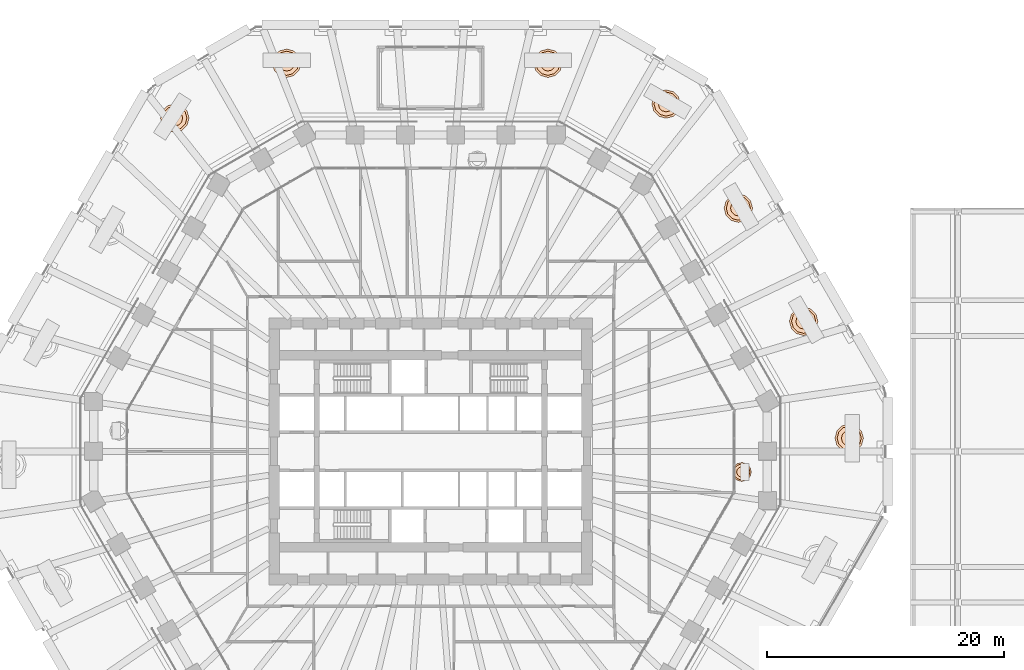
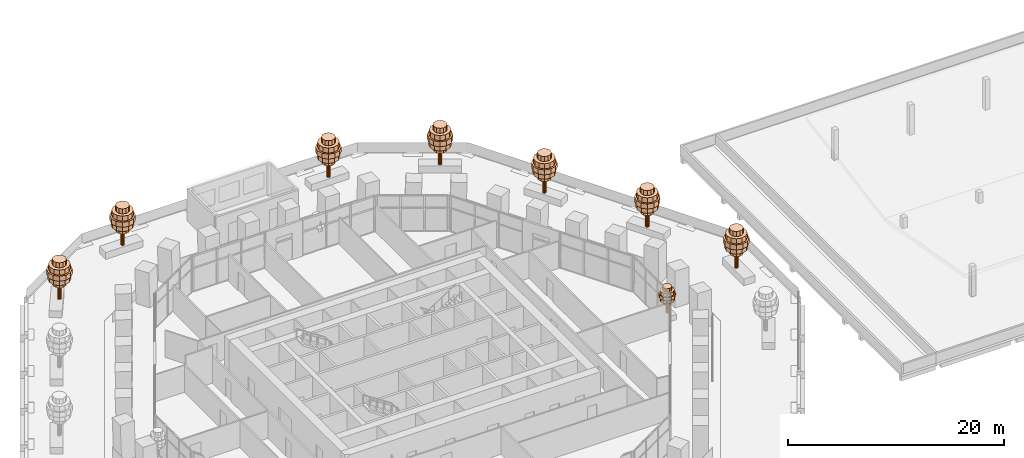
# One storey, part 32 of 32: 8 geographic elements.
"""IFC4 building model written with IfcOpenShell, lengths in metres."""

from ifc_helpers import new_model, si_unit, direction, frame, origin, place, context, subcontext, project, spatial, polyline, outline, extrude, material, type_object, element, save


model = new_model("IFC4")

# Units and contexts
model_context = context("Model", 3, precision=1e-05, world=origin(), true_north=direction((0.0, 1.0)))
body_context = subcontext(model_context, "Body", "Model", "MODEL_VIEW")
ifc_project = project(units=[si_unit("LENGTHUNIT", "METRE"), si_unit("AREAUNIT", "SQUARE_METRE"), si_unit("VOLUMEUNIT", "CUBIC_METRE"), si_unit("PLANEANGLEUNIT", "RADIAN"), si_unit("MASSUNIT", "GRAM", prefix="KILO")], contexts=[model_context])

# Site, building, storey
site_placement = place(None, origin())
site = spatial("IfcSite", under=ifc_project, at=site_placement, CompositionType="ELEMENT")
building_placement = place(site_placement, origin())
building = spatial("IfcBuilding", under=site, at=building_placement, Name="Frailejon Research Tower", CompositionType="ELEMENT")
storey_placement = place(building_placement, frame((0.0, 0.0, 14.60009765625)))
storey = spatial("IfcBuildingStorey", under=building, at=storey_placement, Name="L03", CompositionType="ELEMENT", Elevation=14.60009765625)

# Geographic elements
ifc_material_1 = material(Name="Foliage, green")
geographic_element_type_1 = type_object("IfcGeographicElementType", Name="Frailejon tree, loggia", PredefinedType="USERDEFINED", material=ifc_material_1)
geographic_element_1_placement = place(storey_placement, frame((26.2626953125, -1.732177734375, 0.599853515625)))
element("IfcGeographicElement", 1, at=geographic_element_1_placement, inside=storey, type_object=geographic_element_type_1, Name="Tree L03", ObjectType="TREE", PredefinedType="USERDEFINED", context=body_context, shape_type="SweptSolid", body=[
    extrude(outline(polyline([(0.1298828125, 0.0), (0.112548828125, 0.06494140625), (0.06494140625, 0.112548828125), (0.0, 0.1298828125), (-0.06494140625, 0.112548828125), (-0.112548828125, 0.06494140625), (-0.1298828125, 0.0), (-0.112548828125, -0.06494140625), (-0.06494140625, -0.112548828125), (0.0, -0.1298828125), (0.06494140625, -0.112548828125), (0.112548828125, -0.06494140625), (0.1298828125, 0.0)])), origin(), (0.0, 0.0, 1.0), 2.239990234375),
    extrude(outline(polyline([(0.43994140625, 0.0), (0.381103515625, 0.219970703125), (0.219970703125, 0.381103515625), (0.0, 0.43994140625), (-0.219970703125, 0.381103515625), (-0.381103515625, 0.219970703125), (-0.43994140625, 0.0), (-0.381103515625, -0.219970703125), (-0.219970703125, -0.381103515625), (0.0, -0.43994140625), (0.219970703125, -0.381103515625), (0.381103515625, -0.219970703125), (0.43994140625, 0.0)])), frame((0.0, 0.0, 1.10009765625)), (0.0, 0.0, 1.0), 0.3798828125),
    extrude(outline(polyline([(0.719970703125, 0.0), (0.62353515625, 0.360107421875), (0.360107421875, 0.62353515625), (0.0, 0.719970703125), (-0.360107421875, 0.62353515625), (-0.62353515625, 0.360107421875), (-0.719970703125, 0.0), (-0.62353515625, -0.360107421875), (-0.360107421875, -0.62353515625), (0.0, -0.719970703125), (0.360107421875, -0.62353515625), (0.62353515625, -0.360107421875), (0.719970703125, 0.0)])), frame((0.0, 0.0, 1.47998046875)), (0.0, 0.0, 1.0), 0.3798828125),
    extrude(outline(polyline([(0.800048828125, 0.0), (0.69287109375, 0.39990234375), (0.39990234375, 0.69287109375), (0.0, 0.800048828125), (-0.39990234375, 0.69287109375), (-0.69287109375, 0.39990234375), (-0.800048828125, 0.0), (-0.69287109375, -0.39990234375), (-0.39990234375, -0.69287109375), (0.0, -0.800048828125), (0.39990234375, -0.69287109375), (0.69287109375, -0.39990234375), (0.800048828125, 0.0)])), frame((0.0, 0.0, 1.860107421875)), (0.0, 0.0, 1.0), 0.3798828125),
    extrude(outline(polyline([(0.679931640625, 0.0), (0.5888671875, 0.340087890625), (0.340087890625, 0.5888671875), (0.0, 0.679931640625), (-0.340087890625, 0.5888671875), (-0.5888671875, 0.340087890625), (-0.679931640625, 0.0), (-0.5888671875, -0.340087890625), (-0.340087890625, -0.5888671875), (0.0, -0.679931640625), (0.340087890625, -0.5888671875), (0.5888671875, -0.340087890625), (0.679931640625, 0.0)])), frame((0.0, 0.0, 2.239990234375)), (0.0, 0.0, 1.0), 0.3798828125),
    extrude(outline(polyline([(0.43994140625, 0.0), (0.381103515625, 0.219970703125), (0.219970703125, 0.381103515625), (0.0, 0.43994140625), (-0.219970703125, 0.381103515625), (-0.381103515625, 0.219970703125), (-0.43994140625, 0.0), (-0.381103515625, -0.219970703125), (-0.219970703125, -0.381103515625), (0.0, -0.43994140625), (0.219970703125, -0.381103515625), (0.381103515625, -0.219970703125), (0.43994140625, 0.0)])), frame((0.0, 0.0, 2.6201171875)), (0.0, 0.0, 1.0), 0.3798828125),
])
ifc_material_2 = material(Name="Foliage, green")
geographic_element_type_2 = type_object("IfcGeographicElementType", Name="Frailejon tree, terrace", PredefinedType="USERDEFINED", material=ifc_material_2)
geographic_element_2_placement = place(storey_placement, frame((35.319091796875, 1.11962890625, 0.829833984375)))
element("IfcGeographicElement", 2, at=geographic_element_2_placement, inside=storey, type_object=geographic_element_type_2, Name="Tree L03", ObjectType="TREE", PredefinedType="USERDEFINED", context=body_context, shape_type="SweptSolid", body=[
    extrude(outline(polyline([(0.18994140625, 0.0), (0.16455078125, 0.094970703125), (0.094970703125, 0.16455078125), (0.0, 0.18994140625), (-0.094970703125, 0.16455078125), (-0.16455078125, 0.094970703125), (-0.18994140625, 0.0), (-0.16455078125, -0.094970703125), (-0.094970703125, -0.16455078125), (0.0, -0.18994140625), (0.094970703125, -0.16455078125), (0.16455078125, -0.094970703125), (0.18994140625, 0.0)])), origin(), (0.0, 0.0, 1.0), 3.360107421875),
    extrude(outline(polyline([(0.659912109375, 0.0), (0.571533203125, 0.330078125), (0.330078125, 0.571533203125), (0.0, 0.659912109375), (-0.330078125, 0.571533203125), (-0.571533203125, 0.330078125), (-0.659912109375, 0.0), (-0.571533203125, -0.330078125), (-0.330078125, -0.571533203125), (0.0, -0.659912109375), (0.330078125, -0.571533203125), (0.571533203125, -0.330078125), (0.659912109375, 0.0)])), frame((0.0, 0.0, 1.64990234375)), (0.0, 0.0, 1.0), 0.570068359375),
    extrude(outline(polyline([(1.080078125, 0.0), (0.935302734375, 0.5400390625), (0.5400390625, 0.935302734375), (0.0, 1.080078125), (-0.5400390625, 0.935302734375), (-0.935302734375, 0.5400390625), (-1.080078125, 0.0), (-0.935302734375, -0.5400390625), (-0.5400390625, -0.935302734375), (0.0, -1.080078125), (0.5400390625, -0.935302734375), (0.935302734375, -0.5400390625), (1.080078125, 0.0)])), frame((0.0, 0.0, 2.219970703125)), (0.0, 0.0, 1.0), 0.570068359375),
    extrude(outline(polyline([(1.199951171875, 0.0), (1.039306640625, 0.60009765625), (0.60009765625, 1.039306640625), (0.0, 1.199951171875), (-0.60009765625, 1.039306640625), (-1.039306640625, 0.60009765625), (-1.199951171875, 0.0), (-1.039306640625, -0.60009765625), (-0.60009765625, -1.039306640625), (0.0, -1.199951171875), (0.60009765625, -1.039306640625), (1.039306640625, -0.60009765625), (1.199951171875, 0.0)])), frame((0.0, 0.0, 2.7900390625)), (0.0, 0.0, 1.0), 0.570068359375),
    extrude(outline(polyline([(1.02001953125, 0.0), (0.88330078125, 0.510009765625), (0.510009765625, 0.88330078125), (0.0, 1.02001953125), (-0.510009765625, 0.88330078125), (-0.88330078125, 0.510009765625), (-1.02001953125, 0.0), (-0.88330078125, -0.510009765625), (-0.510009765625, -0.88330078125), (0.0, -1.02001953125), (0.510009765625, -0.88330078125), (0.88330078125, -0.510009765625), (1.02001953125, 0.0)])), frame((0.0, 0.0, 3.360107421875)), (0.0, 0.0, 1.0), 0.570068359375),
    extrude(outline(polyline([(0.659912109375, 0.0), (0.571533203125, 0.330078125), (0.330078125, 0.571533203125), (0.0, 0.659912109375), (-0.330078125, 0.571533203125), (-0.571533203125, 0.330078125), (-0.659912109375, 0.0), (-0.571533203125, -0.330078125), (-0.330078125, -0.571533203125), (0.0, -0.659912109375), (0.330078125, -0.571533203125), (0.571533203125, -0.330078125), (0.659912109375, 0.0)])), frame((0.0, 0.0, 3.929931640625)), (0.0, 0.0, 1.0), 0.570068359375),
])
geographic_element_3_placement = place(storey_placement, frame((31.47705078125, 10.97998046875, 0.829833984375)))
element("IfcGeographicElement", 3, at=geographic_element_3_placement, inside=storey, type_object=geographic_element_type_2, Name="Tree L03", ObjectType="TREE", PredefinedType="USERDEFINED", context=body_context, shape_type="SweptSolid", body=[
    extrude(outline(polyline([(0.18994140625, 0.0), (0.16455078125, 0.094970703125), (0.094970703125, 0.16455078125), (0.0, 0.18994140625), (-0.094970703125, 0.16455078125), (-0.16455078125, 0.094970703125), (-0.18994140625, 0.0), (-0.16455078125, -0.094970703125), (-0.094970703125, -0.16455078125), (0.0, -0.18994140625), (0.094970703125, -0.16455078125), (0.16455078125, -0.094970703125), (0.18994140625, 0.0)])), origin(), (0.0, 0.0, 1.0), 3.360107421875),
    extrude(outline(polyline([(0.659912109375, 0.0), (0.571533203125, 0.330078125), (0.330078125, 0.571533203125), (0.0, 0.659912109375), (-0.330078125, 0.571533203125), (-0.571533203125, 0.330078125), (-0.659912109375, 0.0), (-0.571533203125, -0.330078125), (-0.330078125, -0.571533203125), (0.0, -0.659912109375), (0.330078125, -0.571533203125), (0.571533203125, -0.330078125), (0.659912109375, 0.0)])), frame((0.0, 0.0, 1.64990234375)), (0.0, 0.0, 1.0), 0.570068359375),
    extrude(outline(polyline([(1.080078125, 0.0), (0.935302734375, 0.5400390625), (0.5400390625, 0.935302734375), (0.0, 1.080078125), (-0.5400390625, 0.935302734375), (-0.935302734375, 0.5400390625), (-1.080078125, 0.0), (-0.935302734375, -0.5400390625), (-0.5400390625, -0.935302734375), (0.0, -1.080078125), (0.5400390625, -0.935302734375), (0.935302734375, -0.5400390625), (1.080078125, 0.0)])), frame((0.0, 0.0, 2.219970703125)), (0.0, 0.0, 1.0), 0.570068359375),
    extrude(outline(polyline([(1.199951171875, 0.0), (1.039306640625, 0.60009765625), (0.60009765625, 1.039306640625), (0.0, 1.199951171875), (-0.60009765625, 1.039306640625), (-1.039306640625, 0.60009765625), (-1.199951171875, 0.0), (-1.039306640625, -0.60009765625), (-0.60009765625, -1.039306640625), (0.0, -1.199951171875), (0.60009765625, -1.039306640625), (1.039306640625, -0.60009765625), (1.199951171875, 0.0)])), frame((0.0, 0.0, 2.7900390625)), (0.0, 0.0, 1.0), 0.570068359375),
    extrude(outline(polyline([(1.02001953125, 0.0), (0.88330078125, 0.510009765625), (0.510009765625, 0.88330078125), (0.0, 1.02001953125), (-0.510009765625, 0.88330078125), (-0.88330078125, 0.510009765625), (-1.02001953125, 0.0), (-0.88330078125, -0.510009765625), (-0.510009765625, -0.88330078125), (0.0, -1.02001953125), (0.510009765625, -0.88330078125), (0.88330078125, -0.510009765625), (1.02001953125, 0.0)])), frame((0.0, 0.0, 3.360107421875)), (0.0, 0.0, 1.0), 0.570068359375),
    extrude(outline(polyline([(0.659912109375, 0.0), (0.571533203125, 0.330078125), (0.330078125, 0.571533203125), (0.0, 0.659912109375), (-0.330078125, 0.571533203125), (-0.571533203125, 0.330078125), (-0.659912109375, 0.0), (-0.571533203125, -0.330078125), (-0.330078125, -0.571533203125), (0.0, -0.659912109375), (0.330078125, -0.571533203125), (0.571533203125, -0.330078125), (0.659912109375, 0.0)])), frame((0.0, 0.0, 3.929931640625)), (0.0, 0.0, 1.0), 0.570068359375),
])
geographic_element_4_placement = place(storey_placement, frame((25.965087890625, 20.52685546875, 0.829833984375)))
element("IfcGeographicElement", 4, at=geographic_element_4_placement, inside=storey, type_object=geographic_element_type_2, Name="Tree L03", ObjectType="TREE", PredefinedType="USERDEFINED", context=body_context, shape_type="SweptSolid", body=[
    extrude(outline(polyline([(0.18994140625, 0.0), (0.16455078125, 0.094970703125), (0.094970703125, 0.16455078125), (0.0, 0.18994140625), (-0.094970703125, 0.16455078125), (-0.16455078125, 0.094970703125), (-0.18994140625, 0.0), (-0.16455078125, -0.094970703125), (-0.094970703125, -0.16455078125), (0.0, -0.18994140625), (0.094970703125, -0.16455078125), (0.16455078125, -0.094970703125), (0.18994140625, 0.0)])), origin(), (0.0, 0.0, 1.0), 3.360107421875),
    extrude(outline(polyline([(0.659912109375, 0.0), (0.571533203125, 0.330078125), (0.330078125, 0.571533203125), (0.0, 0.659912109375), (-0.330078125, 0.571533203125), (-0.571533203125, 0.330078125), (-0.659912109375, 0.0), (-0.571533203125, -0.330078125), (-0.330078125, -0.571533203125), (0.0, -0.659912109375), (0.330078125, -0.571533203125), (0.571533203125, -0.330078125), (0.659912109375, 0.0)])), frame((0.0, 0.0, 1.64990234375)), (0.0, 0.0, 1.0), 0.570068359375),
    extrude(outline(polyline([(1.080078125, 0.0), (0.935302734375, 0.5400390625), (0.5400390625, 0.935302734375), (0.0, 1.080078125), (-0.5400390625, 0.935302734375), (-0.935302734375, 0.5400390625), (-1.080078125, 0.0), (-0.935302734375, -0.5400390625), (-0.5400390625, -0.935302734375), (0.0, -1.080078125), (0.5400390625, -0.935302734375), (0.935302734375, -0.5400390625), (1.080078125, 0.0)])), frame((0.0, 0.0, 2.219970703125)), (0.0, 0.0, 1.0), 0.570068359375),
    extrude(outline(polyline([(1.199951171875, 0.0), (1.039306640625, 0.60009765625), (0.60009765625, 1.039306640625), (0.0, 1.199951171875), (-0.60009765625, 1.039306640625), (-1.039306640625, 0.60009765625), (-1.199951171875, 0.0), (-1.039306640625, -0.60009765625), (-0.60009765625, -1.039306640625), (0.0, -1.199951171875), (0.60009765625, -1.039306640625), (1.039306640625, -0.60009765625), (1.199951171875, 0.0)])), frame((0.0, 0.0, 2.7900390625)), (0.0, 0.0, 1.0), 0.570068359375),
    extrude(outline(polyline([(1.02001953125, 0.0), (0.88330078125, 0.510009765625), (0.510009765625, 0.88330078125), (0.0, 1.02001953125), (-0.510009765625, 0.88330078125), (-0.88330078125, 0.510009765625), (-1.02001953125, 0.0), (-0.88330078125, -0.510009765625), (-0.510009765625, -0.88330078125), (0.0, -1.02001953125), (0.510009765625, -0.88330078125), (0.88330078125, -0.510009765625), (1.02001953125, 0.0)])), frame((0.0, 0.0, 3.360107421875)), (0.0, 0.0, 1.0), 0.570068359375),
    extrude(outline(polyline([(0.659912109375, 0.0), (0.571533203125, 0.330078125), (0.330078125, 0.571533203125), (0.0, 0.659912109375), (-0.330078125, 0.571533203125), (-0.571533203125, 0.330078125), (-0.659912109375, 0.0), (-0.571533203125, -0.330078125), (-0.330078125, -0.571533203125), (0.0, -0.659912109375), (0.330078125, -0.571533203125), (0.571533203125, -0.330078125), (0.659912109375, 0.0)])), frame((0.0, 0.0, 3.929931640625)), (0.0, 0.0, 1.0), 0.570068359375),
])
geographic_element_5_placement = place(storey_placement, frame((19.872314453125, 29.309814453125, 0.829833984375)))
element("IfcGeographicElement", 5, at=geographic_element_5_placement, inside=storey, type_object=geographic_element_type_2, Name="Tree L03", ObjectType="TREE", PredefinedType="USERDEFINED", context=body_context, shape_type="SweptSolid", body=[
    extrude(outline(polyline([(0.18994140625, 0.0), (0.16455078125, 0.094970703125), (0.094970703125, 0.16455078125), (0.0, 0.18994140625), (-0.094970703125, 0.16455078125), (-0.16455078125, 0.094970703125), (-0.18994140625, 0.0), (-0.16455078125, -0.094970703125), (-0.094970703125, -0.16455078125), (0.0, -0.18994140625), (0.094970703125, -0.16455078125), (0.16455078125, -0.094970703125), (0.18994140625, 0.0)])), origin(), (0.0, 0.0, 1.0), 3.360107421875),
    extrude(outline(polyline([(0.659912109375, 0.0), (0.571533203125, 0.330078125), (0.330078125, 0.571533203125), (0.0, 0.659912109375), (-0.330078125, 0.571533203125), (-0.571533203125, 0.330078125), (-0.659912109375, 0.0), (-0.571533203125, -0.330078125), (-0.330078125, -0.571533203125), (0.0, -0.659912109375), (0.330078125, -0.571533203125), (0.571533203125, -0.330078125), (0.659912109375, 0.0)])), frame((0.0, 0.0, 1.64990234375)), (0.0, 0.0, 1.0), 0.570068359375),
    extrude(outline(polyline([(1.080078125, 0.0), (0.935302734375, 0.5400390625), (0.5400390625, 0.935302734375), (0.0, 1.080078125), (-0.5400390625, 0.935302734375), (-0.935302734375, 0.5400390625), (-1.080078125, 0.0), (-0.935302734375, -0.5400390625), (-0.5400390625, -0.935302734375), (0.0, -1.080078125), (0.5400390625, -0.935302734375), (0.935302734375, -0.5400390625), (1.080078125, 0.0)])), frame((0.0, 0.0, 2.219970703125)), (0.0, 0.0, 1.0), 0.570068359375),
    extrude(outline(polyline([(1.199951171875, 0.0), (1.039306640625, 0.60009765625), (0.60009765625, 1.039306640625), (0.0, 1.199951171875), (-0.60009765625, 1.039306640625), (-1.039306640625, 0.60009765625), (-1.199951171875, 0.0), (-1.039306640625, -0.60009765625), (-0.60009765625, -1.039306640625), (0.0, -1.199951171875), (0.60009765625, -1.039306640625), (1.039306640625, -0.60009765625), (1.199951171875, 0.0)])), frame((0.0, 0.0, 2.7900390625)), (0.0, 0.0, 1.0), 0.570068359375),
    extrude(outline(polyline([(1.02001953125, 0.0), (0.88330078125, 0.510009765625), (0.510009765625, 0.88330078125), (0.0, 1.02001953125), (-0.510009765625, 0.88330078125), (-0.88330078125, 0.510009765625), (-1.02001953125, 0.0), (-0.88330078125, -0.510009765625), (-0.510009765625, -0.88330078125), (0.0, -1.02001953125), (0.510009765625, -0.88330078125), (0.88330078125, -0.510009765625), (1.02001953125, 0.0)])), frame((0.0, 0.0, 3.360107421875)), (0.0, 0.0, 1.0), 0.570068359375),
    extrude(outline(polyline([(0.659912109375, 0.0), (0.571533203125, 0.330078125), (0.330078125, 0.571533203125), (0.0, 0.659912109375), (-0.330078125, 0.571533203125), (-0.571533203125, 0.330078125), (-0.659912109375, 0.0), (-0.571533203125, -0.330078125), (-0.330078125, -0.571533203125), (0.0, -0.659912109375), (0.330078125, -0.571533203125), (0.571533203125, -0.330078125), (0.659912109375, 0.0)])), frame((0.0, 0.0, 3.929931640625)), (0.0, 0.0, 1.0), 0.570068359375),
])
geographic_element_6_placement = place(storey_placement, frame((9.904296875, 32.75, 0.829833984375)))
element("IfcGeographicElement", 6, at=geographic_element_6_placement, inside=storey, type_object=geographic_element_type_2, Name="Tree L03", ObjectType="TREE", PredefinedType="USERDEFINED", context=body_context, shape_type="SweptSolid", body=[
    extrude(outline(polyline([(0.18994140625, 0.0), (0.16455078125, 0.094970703125), (0.094970703125, 0.16455078125), (0.0, 0.18994140625), (-0.094970703125, 0.16455078125), (-0.16455078125, 0.094970703125), (-0.18994140625, 0.0), (-0.16455078125, -0.094970703125), (-0.094970703125, -0.16455078125), (0.0, -0.18994140625), (0.094970703125, -0.16455078125), (0.16455078125, -0.094970703125), (0.18994140625, 0.0)])), origin(), (0.0, 0.0, 1.0), 3.360107421875),
    extrude(outline(polyline([(0.659912109375, 0.0), (0.571533203125, 0.330078125), (0.330078125, 0.571533203125), (0.0, 0.659912109375), (-0.330078125, 0.571533203125), (-0.571533203125, 0.330078125), (-0.659912109375, 0.0), (-0.571533203125, -0.330078125), (-0.330078125, -0.571533203125), (0.0, -0.659912109375), (0.330078125, -0.571533203125), (0.571533203125, -0.330078125), (0.659912109375, 0.0)])), frame((0.0, 0.0, 1.64990234375)), (0.0, 0.0, 1.0), 0.570068359375),
    extrude(outline(polyline([(1.080078125, 0.0), (0.935302734375, 0.5400390625), (0.5400390625, 0.935302734375), (0.0, 1.080078125), (-0.5400390625, 0.935302734375), (-0.935302734375, 0.5400390625), (-1.080078125, 0.0), (-0.935302734375, -0.5400390625), (-0.5400390625, -0.935302734375), (0.0, -1.080078125), (0.5400390625, -0.935302734375), (0.935302734375, -0.5400390625), (1.080078125, 0.0)])), frame((0.0, 0.0, 2.219970703125)), (0.0, 0.0, 1.0), 0.570068359375),
    extrude(outline(polyline([(1.199951171875, 0.0), (1.039306640625, 0.60009765625), (0.60009765625, 1.039306640625), (0.0, 1.199951171875), (-0.60009765625, 1.039306640625), (-1.039306640625, 0.60009765625), (-1.199951171875, 0.0), (-1.039306640625, -0.60009765625), (-0.60009765625, -1.039306640625), (0.0, -1.199951171875), (0.60009765625, -1.039306640625), (1.039306640625, -0.60009765625), (1.199951171875, 0.0)])), frame((0.0, 0.0, 2.7900390625)), (0.0, 0.0, 1.0), 0.570068359375),
    extrude(outline(polyline([(1.02001953125, 0.0), (0.88330078125, 0.510009765625), (0.510009765625, 0.88330078125), (0.0, 1.02001953125), (-0.510009765625, 0.88330078125), (-0.88330078125, 0.510009765625), (-1.02001953125, 0.0), (-0.88330078125, -0.510009765625), (-0.510009765625, -0.88330078125), (0.0, -1.02001953125), (0.510009765625, -0.88330078125), (0.88330078125, -0.510009765625), (1.02001953125, 0.0)])), frame((0.0, 0.0, 3.360107421875)), (0.0, 0.0, 1.0), 0.570068359375),
    extrude(outline(polyline([(0.659912109375, 0.0), (0.571533203125, 0.330078125), (0.330078125, 0.571533203125), (0.0, 0.659912109375), (-0.330078125, 0.571533203125), (-0.571533203125, 0.330078125), (-0.659912109375, 0.0), (-0.571533203125, -0.330078125), (-0.330078125, -0.571533203125), (0.0, -0.659912109375), (0.330078125, -0.571533203125), (0.571533203125, -0.330078125), (0.659912109375, 0.0)])), frame((0.0, 0.0, 3.929931640625)), (0.0, 0.0, 1.0), 0.570068359375),
])
geographic_element_7_placement = place(storey_placement, frame((-12.1435546875, 32.75, 0.829833984375)))
element("IfcGeographicElement", 7, at=geographic_element_7_placement, inside=storey, type_object=geographic_element_type_2, Name="Tree L03", ObjectType="TREE", PredefinedType="USERDEFINED", context=body_context, shape_type="SweptSolid", body=[
    extrude(outline(polyline([(0.18994140625, 0.0), (0.16455078125, 0.094970703125), (0.094970703125, 0.16455078125), (0.0, 0.18994140625), (-0.094970703125, 0.16455078125), (-0.16455078125, 0.094970703125), (-0.18994140625, 0.0), (-0.16455078125, -0.094970703125), (-0.094970703125, -0.16455078125), (0.0, -0.18994140625), (0.094970703125, -0.16455078125), (0.16455078125, -0.094970703125), (0.18994140625, 0.0)])), origin(), (0.0, 0.0, 1.0), 3.360107421875),
    extrude(outline(polyline([(0.659912109375, 0.0), (0.571533203125, 0.330078125), (0.330078125, 0.571533203125), (0.0, 0.659912109375), (-0.330078125, 0.571533203125), (-0.571533203125, 0.330078125), (-0.659912109375, 0.0), (-0.571533203125, -0.330078125), (-0.330078125, -0.571533203125), (0.0, -0.659912109375), (0.330078125, -0.571533203125), (0.571533203125, -0.330078125), (0.659912109375, 0.0)])), frame((0.0, 0.0, 1.64990234375)), (0.0, 0.0, 1.0), 0.570068359375),
    extrude(outline(polyline([(1.080078125, 0.0), (0.935302734375, 0.5400390625), (0.5400390625, 0.935302734375), (0.0, 1.080078125), (-0.5400390625, 0.935302734375), (-0.935302734375, 0.5400390625), (-1.080078125, 0.0), (-0.935302734375, -0.5400390625), (-0.5400390625, -0.935302734375), (0.0, -1.080078125), (0.5400390625, -0.935302734375), (0.935302734375, -0.5400390625), (1.080078125, 0.0)])), frame((0.0, 0.0, 2.219970703125)), (0.0, 0.0, 1.0), 0.570068359375),
    extrude(outline(polyline([(1.199951171875, 0.0), (1.039306640625, 0.60009765625), (0.60009765625, 1.039306640625), (0.0, 1.199951171875), (-0.60009765625, 1.039306640625), (-1.039306640625, 0.60009765625), (-1.199951171875, 0.0), (-1.039306640625, -0.60009765625), (-0.60009765625, -1.039306640625), (0.0, -1.199951171875), (0.60009765625, -1.039306640625), (1.039306640625, -0.60009765625), (1.199951171875, 0.0)])), frame((0.0, 0.0, 2.7900390625)), (0.0, 0.0, 1.0), 0.570068359375),
    extrude(outline(polyline([(1.02001953125, 0.0), (0.88330078125, 0.510009765625), (0.510009765625, 0.88330078125), (0.0, 1.02001953125), (-0.510009765625, 0.88330078125), (-0.88330078125, 0.510009765625), (-1.02001953125, 0.0), (-0.88330078125, -0.510009765625), (-0.510009765625, -0.88330078125), (0.0, -1.02001953125), (0.510009765625, -0.88330078125), (0.88330078125, -0.510009765625), (1.02001953125, 0.0)])), frame((0.0, 0.0, 3.360107421875)), (0.0, 0.0, 1.0), 0.570068359375),
    extrude(outline(polyline([(0.659912109375, 0.0), (0.571533203125, 0.330078125), (0.330078125, 0.571533203125), (0.0, 0.659912109375), (-0.330078125, 0.571533203125), (-0.571533203125, 0.330078125), (-0.659912109375, 0.0), (-0.571533203125, -0.330078125), (-0.330078125, -0.571533203125), (0.0, -0.659912109375), (0.330078125, -0.571533203125), (0.571533203125, -0.330078125), (0.659912109375, 0.0)])), frame((0.0, 0.0, 3.929931640625)), (0.0, 0.0, 1.0), 0.570068359375),
])
geographic_element_8_placement = place(storey_placement, frame((-21.579345703125, 28.1240234375, 0.829833984375)))
element("IfcGeographicElement", 8, at=geographic_element_8_placement, inside=storey, type_object=geographic_element_type_2, Name="Tree L03", ObjectType="TREE", PredefinedType="USERDEFINED", context=body_context, shape_type="SweptSolid", body=[
    extrude(outline(polyline([(0.18994140625, 0.0), (0.16455078125, 0.094970703125), (0.094970703125, 0.16455078125), (0.0, 0.18994140625), (-0.094970703125, 0.16455078125), (-0.16455078125, 0.094970703125), (-0.18994140625, 0.0), (-0.16455078125, -0.094970703125), (-0.094970703125, -0.16455078125), (0.0, -0.18994140625), (0.094970703125, -0.16455078125), (0.16455078125, -0.094970703125), (0.18994140625, 0.0)])), origin(), (0.0, 0.0, 1.0), 3.360107421875),
    extrude(outline(polyline([(0.659912109375, 0.0), (0.571533203125, 0.330078125), (0.330078125, 0.571533203125), (0.0, 0.659912109375), (-0.330078125, 0.571533203125), (-0.571533203125, 0.330078125), (-0.659912109375, 0.0), (-0.571533203125, -0.330078125), (-0.330078125, -0.571533203125), (0.0, -0.659912109375), (0.330078125, -0.571533203125), (0.571533203125, -0.330078125), (0.659912109375, 0.0)])), frame((0.0, 0.0, 1.64990234375)), (0.0, 0.0, 1.0), 0.570068359375),
    extrude(outline(polyline([(1.080078125, 0.0), (0.935302734375, 0.5400390625), (0.5400390625, 0.935302734375), (0.0, 1.080078125), (-0.5400390625, 0.935302734375), (-0.935302734375, 0.5400390625), (-1.080078125, 0.0), (-0.935302734375, -0.5400390625), (-0.5400390625, -0.935302734375), (0.0, -1.080078125), (0.5400390625, -0.935302734375), (0.935302734375, -0.5400390625), (1.080078125, 0.0)])), frame((0.0, 0.0, 2.219970703125)), (0.0, 0.0, 1.0), 0.570068359375),
    extrude(outline(polyline([(1.199951171875, 0.0), (1.039306640625, 0.60009765625), (0.60009765625, 1.039306640625), (0.0, 1.199951171875), (-0.60009765625, 1.039306640625), (-1.039306640625, 0.60009765625), (-1.199951171875, 0.0), (-1.039306640625, -0.60009765625), (-0.60009765625, -1.039306640625), (0.0, -1.199951171875), (0.60009765625, -1.039306640625), (1.039306640625, -0.60009765625), (1.199951171875, 0.0)])), frame((0.0, 0.0, 2.7900390625)), (0.0, 0.0, 1.0), 0.570068359375),
    extrude(outline(polyline([(1.02001953125, 0.0), (0.88330078125, 0.510009765625), (0.510009765625, 0.88330078125), (0.0, 1.02001953125), (-0.510009765625, 0.88330078125), (-0.88330078125, 0.510009765625), (-1.02001953125, 0.0), (-0.88330078125, -0.510009765625), (-0.510009765625, -0.88330078125), (0.0, -1.02001953125), (0.510009765625, -0.88330078125), (0.88330078125, -0.510009765625), (1.02001953125, 0.0)])), frame((0.0, 0.0, 3.360107421875)), (0.0, 0.0, 1.0), 0.570068359375),
    extrude(outline(polyline([(0.659912109375, 0.0), (0.571533203125, 0.330078125), (0.330078125, 0.571533203125), (0.0, 0.659912109375), (-0.330078125, 0.571533203125), (-0.571533203125, 0.330078125), (-0.659912109375, 0.0), (-0.571533203125, -0.330078125), (-0.330078125, -0.571533203125), (0.0, -0.659912109375), (0.330078125, -0.571533203125), (0.571533203125, -0.330078125), (0.659912109375, 0.0)])), frame((0.0, 0.0, 3.929931640625)), (0.0, 0.0, 1.0), 0.570068359375),
])

save(model, "model.ifc")
